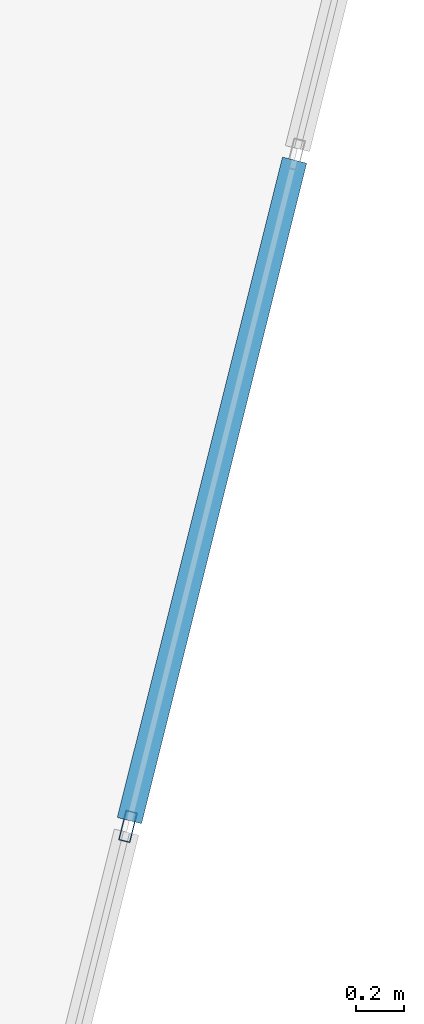
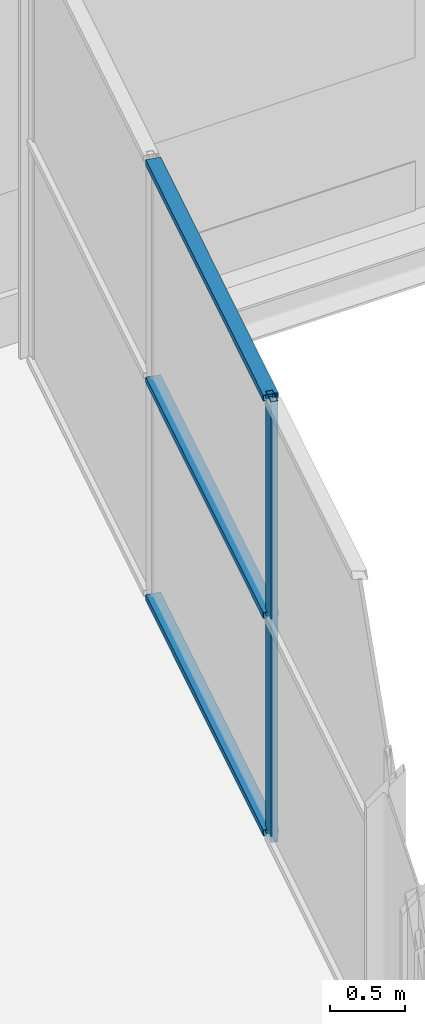
# One storey, part 76 of 140: 4 members, 1 element without a shape of its own.
"""IFC4 building model written with IfcOpenShell, lengths in metres."""

import ifcopenshell
import ifcopenshell.guid

model = None  # the IFC model being written
_history = None  # IfcOwnerHistory: only IFC2X3 demands one
_inside = {}  # id of a spatial element -> (the spatial element, [elements in it])
_under = {}  # id of a project, library or spatial element -> (it, [spatial elements below it])
_declared = {}  # id of a project -> (the project, [libraries it declares])
_typed = {}  # id of a type object -> (the type object, [elements of that type])
_made_of = {}  # id of a material, layer set ... -> (it, [elements and type objects made of it])


def new_model(schema):
    """Start an empty IFC model of exactly this schema.

    Asked for "IFC4X3", IfcOpenShell would pick the latest addendum, in which some entities
    have other attributes; the version numbers below select the first issue.
    IFC2X3 requires an IfcOwnerHistory on every rooted entity: one is made here for all.
    """
    global model, _history
    if schema == "IFC4X3":
        model = ifcopenshell.file(schema_version=(4, 3, 0, 0))
    else:
        model = ifcopenshell.file(schema=schema)
    _inside.clear()
    _under.clear()
    _declared.clear()
    _typed.clear()
    _made_of.clear()
    _history = None
    if model.schema == "IFC2X3":
        org = make("IfcOrganization", Name="unknown")
        user = make(
            "IfcPersonAndOrganization",
            ThePerson=make("IfcPerson", FamilyName="unknown"),
            TheOrganization=org,
        )
        app = make(
            "IfcApplication",
            ApplicationDeveloper=org,
            Version="unknown",
            ApplicationFullName="unknown",
            ApplicationIdentifier="unknown",
        )
        _history = make(
            "IfcOwnerHistory",
            OwningUser=user,
            OwningApplication=app,
            ChangeAction="ADDED",
            CreationDate=0,
        )
    return model


def make(cls, **values):
    """One entity of the class cls with the attributes given. An attribute that is None is left unset."""
    return model.create_entity(
        cls, **{name: value for name, value in values.items() if value is not None}
    )


def rooted(cls, **values):
    """An entity with a GlobalId (a new one), such as an element, a storey or a relation."""
    return make(cls, GlobalId=ifcopenshell.guid.new(), OwnerHistory=_history, **values)


def si_unit(unit_type, name, prefix=None):
    """IfcSIUnit, for example si_unit("LENGTHUNIT", "METRE", prefix="MILLI")."""
    return make("IfcSIUnit", UnitType=unit_type, Prefix=prefix, Name=name)


def assignment(units):
    """IfcUnitAssignment: the units of a project."""
    return None if units is None else make("IfcUnitAssignment", Units=units)


def point(xyz):
    """IfcCartesianPoint."""
    return None if xyz is None else make("IfcCartesianPoint", Coordinates=xyz)


def direction(xyz):
    """IfcDirection."""
    return None if xyz is None else make("IfcDirection", DirectionRatios=xyz)


def frame(location, z_axis=None, x_axis=None):
    """IfcAxis2Placement3D, a coordinate frame: its origin and axes. An axis left out is left unset."""
    return make(
        "IfcAxis2Placement3D",
        Location=point(location),
        Axis=direction(z_axis),
        RefDirection=direction(x_axis),
    )


def frame_2d(location, x_axis=None):
    """IfcAxis2Placement2D, a coordinate frame in the plane: its origin and x axis."""
    return make(
        "IfcAxis2Placement2D", Location=point(location), RefDirection=direction(x_axis)
    )


def origin():
    """The frame at (0, 0, 0) with its axes left unset."""
    return frame((0.0, 0.0, 0.0))


def origin_2d():
    """The frame at (0, 0) in the plane with its x axis left unset."""
    return frame_2d((0.0, 0.0))


def place(relative_to, where):
    """IfcLocalPlacement: puts the frame where relative to a parent placement (None: the world)."""
    return make(
        "IfcLocalPlacement", PlacementRelTo=relative_to, RelativePlacement=where
    )


def context(
    kind, dimensions, precision=None, world=None, true_north=None, identifier=None
):
    """IfcGeometricRepresentationContext, for example the 3D "Model" context."""
    return make(
        "IfcGeometricRepresentationContext",
        ContextIdentifier=identifier,
        ContextType=kind,
        CoordinateSpaceDimension=dimensions,
        Precision=precision,
        WorldCoordinateSystem=world,
        TrueNorth=true_north,
    )


def subcontext(parent, identifier, kind, view, scale=None):
    """IfcGeometricRepresentationSubContext, for example "Body" below "Model"."""
    return make(
        "IfcGeometricRepresentationSubContext",
        ContextIdentifier=identifier,
        ContextType=kind,
        ParentContext=parent,
        TargetScale=scale,
        TargetView=view,
    )


def project(units=None, contexts=None):
    """IfcProject with its units and contexts."""
    return rooted(
        "IfcProject",
        Name="project",
        RepresentationContexts=contexts,
        UnitsInContext=assignment(units),
    )


def spatial(cls, under=None, at=None, **own):
    """A site, building, storey or space (cls), placed at a placement, below another one or the project."""
    s = rooted(cls, ObjectPlacement=at, **own)
    if under is not None:
        _under.setdefault(under.id(), (under, []))[1].append(s)
    return s


def profile(cls, at=None, kind="AREA", **sizes):
    """A parametric profile (cls). Its sizes go by their IFC names, for example OverallWidth=200.0."""
    return make(cls, ProfileType=kind, Position=at, **sizes)


def hollow_rectangle(**sizes):
    """IfcRectangleHollowProfileDef."""
    return profile("IfcRectangleHollowProfileDef", **sizes)


def extrude(swept, where, along, depth):
    """IfcExtrudedAreaSolid: the profile swept, set in the frame where, extruded along a direction by depth."""
    return make(
        "IfcExtrudedAreaSolid",
        SweptArea=swept,
        Position=where,
        ExtrudedDirection=direction(along),
        Depth=depth,
    )


def shape(context_of_items, identifier, shape_type, items):
    """IfcShapeRepresentation: the items that make up one representation, for example the "Body"."""
    return make(
        "IfcShapeRepresentation",
        ContextOfItems=context_of_items,
        RepresentationIdentifier=identifier,
        RepresentationType=shape_type,
        Items=items,
    )


def material(Name=None, Category=None):
    """IfcMaterial."""
    return make("IfcMaterial", Name=Name, Category=Category)


def layer(
    of_material, thickness, ventilated=None, Name=None, Category=None, Priority=None
):
    """IfcMaterialLayer: one layer of a wall or slab, of a material (None: an air gap)."""
    return make(
        "IfcMaterialLayer",
        Material=of_material,
        LayerThickness=thickness,
        IsVentilated=ventilated,
        Name=Name,
        Category=Category,
        Priority=Priority,
    )


def layer_set(layers, Name=None):
    """IfcMaterialLayerSet."""
    return make("IfcMaterialLayerSet", MaterialLayers=layers, LayerSetName=Name)


def material_profile(
    of_material, cross_section, Name=None, Category=None, Priority=None
):
    """IfcMaterialProfile: a cross section and its material."""
    return make(
        "IfcMaterialProfile",
        Name=Name,
        Material=of_material,
        Profile=cross_section,
        Priority=Priority,
        Category=Category,
    )


def profile_set(profiles, Name=None, composite=None):
    """IfcMaterialProfileSet."""
    return make(
        "IfcMaterialProfileSet",
        Name=Name,
        MaterialProfiles=profiles,
        CompositeProfile=composite,
    )


def made_of(thing, what):
    """Note that an element or type object is made of a material, layer set ...; save() writes the relation."""
    if what is not None:
        _made_of.setdefault(what.id(), (what, []))[1].append(thing)
    return thing


def type_object(cls, material=None, **own):
    """A type object (cls), such as IfcWallType, which elements share."""
    return made_of(rooted(cls, **own), material)


def element(
    cls,
    number,
    at=None,
    inside=None,
    cuts=None,
    type_object=None,
    material=None,
    context=None,
    identifier="Body",
    shape_type=None,
    held_by="IfcProductDefinitionShape",
    body=None,
    shapes=None,
    **own,
):
    """One element of the class cls, such as IfcWall. Its Tag is "e" and its number.

    at: its placement. inside: the storey or other place that contains it. cuts: it is an
    opening in that element (IfcRelVoidsElement). A single representation is given by context,
    identifier, shape_type and body (its items); several are given by shapes. held_by: the class
    of the entity that holds the representations. save() writes the other relations.
    """
    e = rooted(cls, Tag="e%d" % number, ObjectPlacement=at, **own)
    if body is not None:
        shapes = [shape(context, identifier, shape_type, body)]
    if shapes is not None:
        e.Representation = make(held_by, Representations=shapes)
    if inside is not None:
        _inside.setdefault(inside.id(), (inside, []))[1].append(e)
    if cuts is not None:
        rooted(
            "IfcRelVoidsElement", RelatingBuildingElement=cuts, RelatedOpeningElement=e
        )
    if type_object is not None:
        _typed.setdefault(type_object.id(), (type_object, []))[1].append(e)
    return made_of(e, material)


def aggregate(whole, parts):
    """IfcRelAggregates: a whole, such as a stair, and the parts it consists of."""
    return rooted("IfcRelAggregates", RelatingObject=whole, RelatedObjects=parts)


def save(model, path):
    """Write the relations noted so far, then the file.

    IfcRelAggregates (storeys below a building ...), IfcRelContainedInSpatialStructure (elements
    in a storey), IfcRelDefinesByType, IfcRelAssociatesMaterial and IfcRelDeclares: one each for
    every whole, place, type object, material and project.
    """
    for whole, parts in _under.values():
        aggregate(whole, parts)
    for where, things in _inside.values():
        rooted(
            "IfcRelContainedInSpatialStructure",
            RelatedElements=things,
            RelatingStructure=where,
        )
    for kind, things in _typed.values():
        rooted("IfcRelDefinesByType", RelatedObjects=things, RelatingType=kind)
    for what, things in _made_of.values():
        rooted("IfcRelAssociatesMaterial", RelatedObjects=things, RelatingMaterial=what)
    for by, libraries in _declared.values():
        rooted("IfcRelDeclares", RelatingContext=by, RelatedDefinitions=libraries)
    model.write(path)


model = new_model("IFC4")

# Units and contexts
model_context = context("Model", 3, precision=1e-05, world=origin(), true_north=direction((0.0, 1.0)))
body_context = subcontext(model_context, "Body", "Model", "MODEL_VIEW")
ifc_project = project(units=[si_unit("LENGTHUNIT", "METRE"), si_unit("AREAUNIT", "SQUARE_METRE"), si_unit("VOLUMEUNIT", "CUBIC_METRE"), si_unit("PLANEANGLEUNIT", "RADIAN"), si_unit("MASSUNIT", "GRAM", prefix="KILO")], contexts=[model_context])

# Site, building, storey
site_placement = place(None, origin())
site = spatial("IfcSite", under=ifc_project, at=site_placement, CompositionType="ELEMENT")
building_placement = place(site_placement, origin())
building = spatial("IfcBuilding", under=site, at=building_placement, Name="Deido Ridge Mobility Hub", CompositionType="ELEMENT")
storey_placement = place(building_placement, origin())
storey = spatial("IfcBuildingStorey", under=building, at=storey_placement, Name="L00", CompositionType="ELEMENT", Elevation=0.0)

# Curtain wall, members
ifc_material = material(Name="Anodised aluminium EN AW-6063 T6", Category="aluminium")
ifc_layer = layer(ifc_material, 0.27001953125, Name="Anodised aluminium EN AW-6063 T6")
ifc_layer_set = layer_set([ifc_layer], Name="Anodised aluminium EN AW-6063 T6")
curtain_wall_type = type_object("IfcCurtainWallType", Name="CW-UF-8", PredefinedType="USERDEFINED", material=ifc_layer_set)
curtain_wall_placement = place(storey_placement, origin())
curtain_wall = element("IfcCurtainWall", 1, at=curtain_wall_placement, inside=storey, type_object=curtain_wall_type, Name="Unitised curtain wall CW8", ObjectType="UNITISED FACADE", PredefinedType="USERDEFINED")
ifc_material_profile_1 = material_profile(ifc_material, hollow_rectangle(XDim=0.050048828125, YDim=0.1298828125, WallThickness=0.00390625, at=origin_2d()), Name="RHS 50x130x4")
ifc_profile_set_1 = profile_set([ifc_material_profile_1], Name="Anodised aluminium EN AW-6063 T6")
member_type_1 = type_object("IfcMemberType", Name="MEM-MUL-50X130", PredefinedType="MULLION", material=ifc_profile_set_1)
member_1_placement = place(storey_placement, frame((52.5224609375, 75.090087890625, 0.0), z_axis=(0.0, 0.0, 1.0), x_axis=(-0.970139801497, 0.242546419373, 0.0)))
member_1 = element("IfcMember", 2, at=member_1_placement, type_object=member_type_1, Name="CW8 mullion 2", PredefinedType="MULLION", context=body_context, shape_type="SweptSolid", body=[
    extrude(hollow_rectangle(XDim=0.050048828125, YDim=0.1298828125, WallThickness=0.00390625, at=origin_2d()), origin(), (0.0, 0.0, 1.0), 3.60009765625),
])
ifc_material_profile_2 = material_profile(ifc_material, hollow_rectangle(XDim=0.10498046875, YDim=0.050048828125, WallThickness=0.00390625, at=origin_2d()), Name="RHS 105x50x4")
ifc_profile_set_2 = profile_set([ifc_material_profile_2], Name="Anodised aluminium EN AW-6063 T6")
member_type_2 = type_object("IfcMemberType", Name="MEM-TRN-105X50", PredefinedType="USERDEFINED", material=ifc_profile_set_2)
member_2_placement = place(storey_placement, frame((52.528564453125, 75.114501953125, 0.02490234375), z_axis=(0.242575847992, 0.97013244352, 0.0), x_axis=(-0.97013244352, 0.242575847992, 0.0)))
member_2 = element("IfcMember", 3, at=member_2_placement, type_object=member_type_2, Name="CW8 transom 2.1", ObjectType="TRANSOM", PredefinedType="USERDEFINED", context=body_context, shape_type="SweptSolid", body=[
    extrude(hollow_rectangle(XDim=0.10498046875, YDim=0.050048828125, WallThickness=0.00390625, at=origin_2d()), origin(), (0.0, 0.0, 1.0), 2.856201171875),
])
member_3_placement = place(storey_placement, frame((52.528564453125, 75.114501953125, 1.800048828125), z_axis=(0.242575847992, 0.97013244352, 0.0), x_axis=(-0.97013244352, 0.242575847992, 0.0)))
member_3 = element("IfcMember", 4, at=member_3_placement, type_object=member_type_2, Name="CW8 transom 2.2", ObjectType="TRANSOM", PredefinedType="USERDEFINED", context=body_context, shape_type="SweptSolid", body=[
    extrude(hollow_rectangle(XDim=0.10498046875, YDim=0.050048828125, WallThickness=0.00390625, at=origin_2d()), origin(), (0.0, 0.0, 1.0), 2.856201171875),
])
member_4_placement = place(storey_placement, frame((52.528564453125, 75.114501953125, 3.574951171875), z_axis=(0.242575847992, 0.97013244352, 0.0), x_axis=(-0.97013244352, 0.242575847992, 0.0)))
member_4 = element("IfcMember", 5, at=member_4_placement, type_object=member_type_2, Name="CW8 transom 2.3", ObjectType="TRANSOM", PredefinedType="USERDEFINED", context=body_context, shape_type="SweptSolid", body=[
    extrude(hollow_rectangle(XDim=0.10498046875, YDim=0.050048828125, WallThickness=0.00390625, at=origin_2d()), origin(), (0.0, 0.0, 1.0), 2.856201171875),
])
aggregate(curtain_wall, [member_1, member_2, member_3, member_4])

save(model, "model.ifc")
